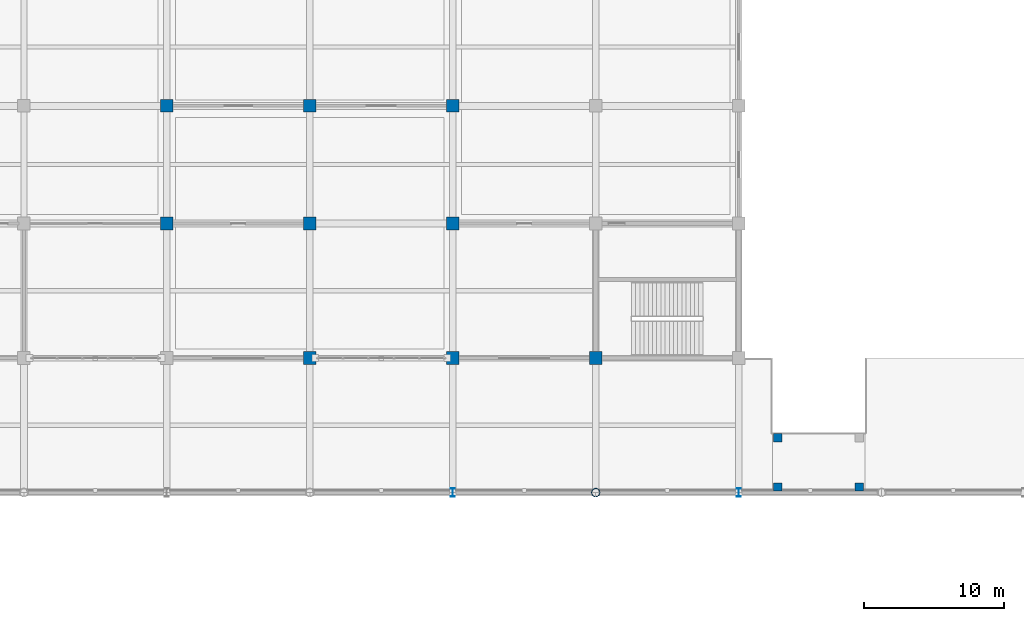
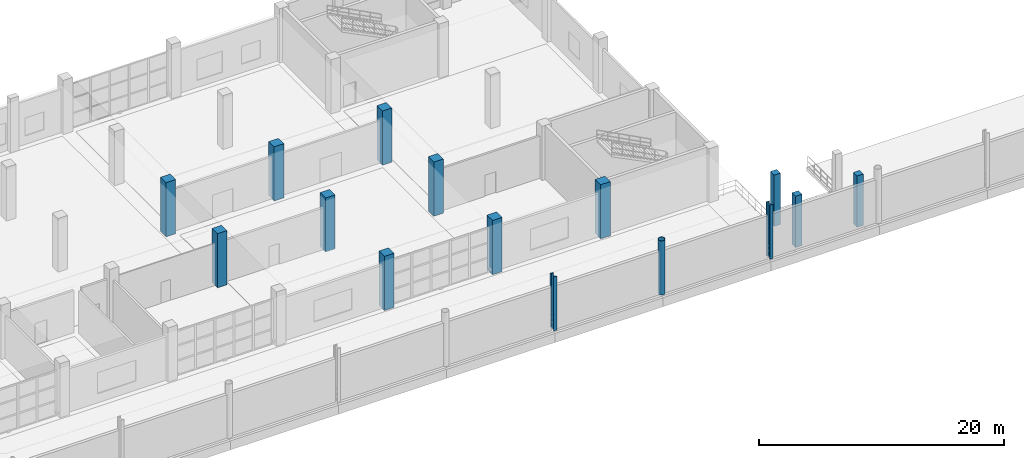
# One storey, part 8 of 175: 15 columns.
"""IFC4 building model written with IfcOpenShell, lengths in metres."""

from ifc_helpers import new_model, si_unit, direction, frame, origin, origin_2d, place, context, subcontext, project, spatial, rectangle, hollow_circle, i_section, extrude, material, material_profile, profile_set, type_object, element, save


model = new_model("IFC4")

# Units and contexts
model_context = context("Model", 3, precision=1e-05, world=origin(), true_north=direction((0.0, 1.0)))
body_context = subcontext(model_context, "Body", "Model", "MODEL_VIEW")
ifc_project = project(units=[si_unit("LENGTHUNIT", "METRE"), si_unit("AREAUNIT", "SQUARE_METRE"), si_unit("VOLUMEUNIT", "CUBIC_METRE"), si_unit("PLANEANGLEUNIT", "RADIAN"), si_unit("MASSUNIT", "GRAM", prefix="KILO")], contexts=[model_context])

# Site, building, storey
site_placement = place(None, origin())
site = spatial("IfcSite", under=ifc_project, at=site_placement, CompositionType="ELEMENT")
building_placement = place(site_placement, origin())
building = spatial("IfcBuilding", under=site, at=building_placement, Name="Brelvane Convention Centre", CompositionType="ELEMENT")
storey_placement = place(building_placement, frame((0.0, 0.0, 5.39990234375)))
storey = spatial("IfcBuildingStorey", under=building, at=storey_placement, Name="L01", CompositionType="ELEMENT", Elevation=5.39990234375)

# Columns
ifc_material_1 = material(Name="Concrete M50", Category="concrete")
ifc_material_profile_1 = material_profile(ifc_material_1, rectangle(XDim=0.89990234375, YDim=0.89990234375, at=origin_2d()), Name="RC 900x900")
ifc_profile_set_1 = profile_set([ifc_material_profile_1], Name="Concrete M50")
column_type_1 = type_object("IfcColumnType", Name="RC Column C-RC2 (RC 900x900)", PredefinedType="COLUMN", material=ifc_profile_set_1)
for number, where, z_axis, x_axis, name in (
    (1, (71.39990234375, 118.800048828125, 0.0), (0.0, 0.0, 1.0), (1.0, 0.0, 0.0), "Column 8-M (L01)"),
    (2, (71.39990234375, 127.199951171875, 0.0), (0.0, 0.0, 1.0), (1.0, 0.0, 0.0), "Column 8-N (L01)"),
    (3, (81.60009765625, 109.199951171875, 0.0), (0.0, 0.0, 1.0), (1.0, 0.0, 0.0), "Column 9-L (L01)"),
    (4, (81.60009765625, 118.800048828125, 0.0), (0.0, 0.0, 1.0), (1.0, 0.0, 0.0), "Column 9-M (L01)"),
    (5, (81.60009765625, 127.199951171875, 0.0), (0.0, 0.0, 1.0), (1.0, 0.0, 0.0), "Column 9-N (L01)"),
    (6, (91.800048828125, 109.199951171875, 0.0), (0.0, 0.0, 1.0), (1.0, 0.0, 0.0), "Column 10-L (L01)"),
    (7, (91.800048828125, 118.800048828125, 0.0), (0.0, 0.0, 1.0), (1.0, 0.0, 0.0), "Column 10-M (L01)"),
    (8, (91.800048828125, 127.199951171875, 0.0), (0.0, 0.0, 1.0), (1.0, 0.0, 0.0), "Column 10-N (L01)"),
    (9, (102.0, 109.199951171875, 0.0), (0.0, 0.0, 1.0), (1.0, 0.0, 0.0), "Column 11-L (L01)"),
):
    element("IfcColumn", number, at=place(storey_placement, frame(where, z_axis=z_axis, x_axis=x_axis)), inside=storey, type_object=column_type_1, Name=name, PredefinedType="COLUMN", context=body_context, shape_type="SweptSolid", body=[
        extrude(rectangle(XDim=0.89990234375, YDim=0.89990234375, at=origin_2d()), origin(), (0.0, 0.0, 1.0), 5.400146484375),
    ])
ifc_material_2 = material(Name="Concrete M50", Category="concrete")
ifc_material_profile_2 = material_profile(ifc_material_2, rectangle(XDim=0.60009765625, YDim=0.60009765625, at=origin_2d()), Name="RC 600x600")
ifc_profile_set_2 = profile_set([ifc_material_profile_2], Name="Concrete M50")
column_type_2 = type_object("IfcColumnType", Name="RC Column C-RC4 (RC 600x600)", PredefinedType="COLUMN", material=ifc_profile_set_2)
for number, where, z_axis, x_axis, name in (
    (10, (115.0, 100.0, 0.0), (0.0, 0.0, 1.0), (1.0, 0.0, 0.0), "VR1 South L01 Column 1"),
    (11, (120.800048828125, 100.0, 0.0), (0.0, 0.0, 1.0), (1.0, 0.0, 0.0), "VR1 South L01 Column 2"),
    (12, (115.0, 103.5, 0.0), (0.0, 0.0, 1.0), (1.0, 0.0, 0.0), "VR1 South L01 Column 3"),
):
    element("IfcColumn", number, at=place(storey_placement, frame(where, z_axis=z_axis, x_axis=x_axis)), inside=storey, type_object=column_type_2, Name=name, PredefinedType="COLUMN", context=body_context, shape_type="SweptSolid", body=[
        extrude(rectangle(XDim=0.60009765625, YDim=0.60009765625, at=origin_2d()), origin(), (0.0, 0.0, 1.0), 5.1201171875),
    ])
ifc_material_3 = material(Name="Steel E450 (450 MPa)", Category="steel")
ifc_material_profile_3 = material_profile(ifc_material_3, hollow_circle(Radius=0.304931640625, WallThickness=0.02490234375, at=origin_2d()), Name="CHS 610.0x25.0")
ifc_profile_set_3 = profile_set([ifc_material_profile_3], Name="Steel E450 (450 MPa)")
column_type_3 = type_object("IfcColumnType", Name="Steel Column C-ST1 (CHS 610.0x25.0)", PredefinedType="COLUMN", material=ifc_profile_set_3)
column_placement = place(storey_placement, frame((102.0, 99.60009765625, 0.0), z_axis=(0.0, 0.0, 1.0), x_axis=(1.0, 0.0, 0.0)))
element("IfcColumn", 13, at=column_placement, inside=storey, type_object=column_type_3, Name="Column 11-K (L01)", PredefinedType="COLUMN", context=body_context, shape_type="SweptSolid", body=[
    extrude(hollow_circle(Radius=0.304931640625, WallThickness=0.02490234375, at=origin_2d()), origin(), (0.0, 0.0, 1.0), 5.400146484375),
])
ifc_material_4 = material(Name="Steel E450 (450 MPa)", Category="steel")
ifc_material_profile_4 = material_profile(ifc_material_4, i_section(OverallWidth=0.300048828125, OverallDepth=0.60009765625, WebThickness=0.015380859375, FlangeThickness=0.030029296875, FilletRadius=0.027099609375, at=origin_2d()), Name="WPB 600x300")
ifc_profile_set_4 = profile_set([ifc_material_profile_4], Name="Steel E450 (450 MPa)")
column_type_4 = type_object("IfcColumnType", Name="Steel Column C-ST5 (WPB 600x300)", PredefinedType="COLUMN", material=ifc_profile_set_4)
for number, where, z_axis, x_axis, name in (
    (14, (91.800048828125, 99.60009765625, 0.0), (0.0, 0.0, 1.0), (1.0, 0.0, 0.0), "Column 10-K (L01)"),
    (15, (112.199951171875, 99.60009765625, 0.0), (0.0, 0.0, 1.0), (1.0, 0.0, 0.0), "Column 12-K (L01)"),
):
    element("IfcColumn", number, at=place(storey_placement, frame(where, z_axis=z_axis, x_axis=x_axis)), inside=storey, type_object=column_type_4, Name=name, PredefinedType="COLUMN", context=body_context, shape_type="SweptSolid", body=[
        extrude(i_section(OverallWidth=0.300048828125, OverallDepth=0.60009765625, WebThickness=0.015380859375, FlangeThickness=0.030029296875, FilletRadius=0.027099609375, at=origin_2d()), origin(), (0.0, 0.0, 1.0), 5.400146484375),
    ])

save(model, "model.ifc")
